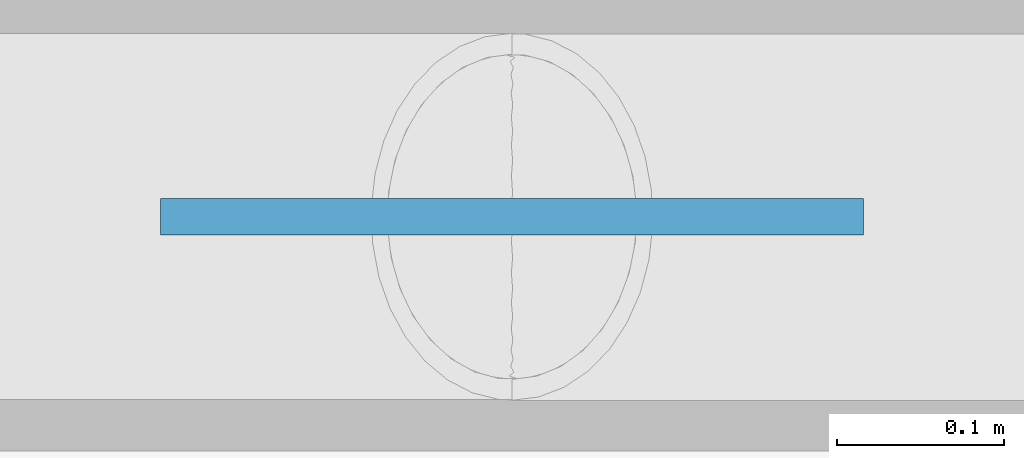
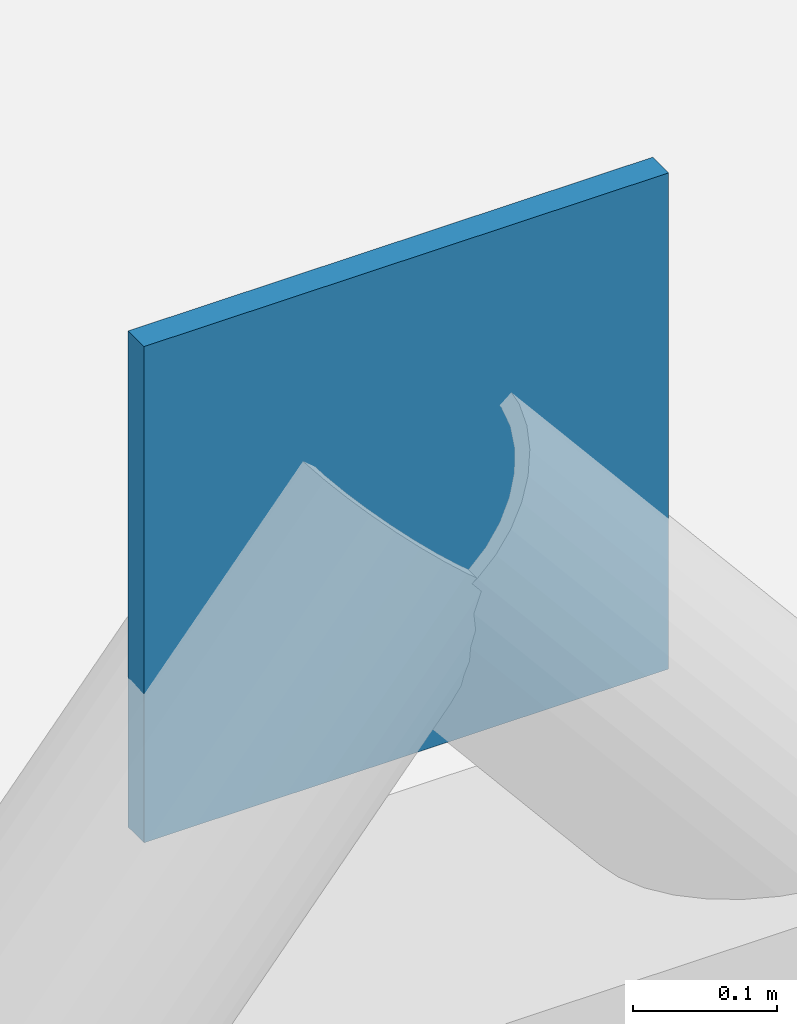
# One storey, part 57 of 126: 1 plate.
"""IFC4 building model written with IfcOpenShell, lengths in metres."""

from ifc_helpers import new_model, si_unit, direction, frame, origin, origin_2d, place, context, subcontext, project, spatial, rectangle, extrude, material, layer, layer_set, type_object, element, save


model = new_model("IFC4")

# Units and contexts
model_context = context("Model", 3, precision=1e-05, world=origin(), true_north=direction((0.0, 1.0)))
body_context = subcontext(model_context, "Body", "Model", "MODEL_VIEW")
ifc_project = project(units=[si_unit("LENGTHUNIT", "METRE"), si_unit("AREAUNIT", "SQUARE_METRE"), si_unit("VOLUMEUNIT", "CUBIC_METRE"), si_unit("PLANEANGLEUNIT", "RADIAN"), si_unit("MASSUNIT", "GRAM", prefix="KILO")], contexts=[model_context])

# Site, building, storey
site_placement = place(None, origin())
site = spatial("IfcSite", under=ifc_project, at=site_placement, CompositionType="ELEMENT")
building_placement = place(site_placement, origin())
building = spatial("IfcBuilding", under=site, at=building_placement, Name="Khelvaren Railside Concert Hall", CompositionType="ELEMENT")
storey_placement = place(building_placement, origin())
storey = spatial("IfcBuildingStorey", under=building, at=storey_placement, Name="L00", CompositionType="ELEMENT", Elevation=0.0)

# Plate
ifc_material = material(Name="Steel S355", Category="steel")
ifc_layer = layer(ifc_material, 0.02197265625)
ifc_layer_set = layer_set([ifc_layer], Name="Steel S355")
plate_type = type_object("IfcPlateType", Name="STP73", PredefinedType="USERDEFINED", material=ifc_layer_set)
plate_placement = place(storey_placement, frame((156.0, 0.0, 4.64013671875), z_axis=(0.0, 0.0, 1.0), x_axis=(1.0, 0.0, 0.0)))
element("IfcPlate", 1, at=plate_placement, inside=storey, type_object=plate_type, Name="V2 L00 Brace Apex Stiffener Plate 50", ObjectType="STIFFENER PLATE", PredefinedType="USERDEFINED", context=body_context, shape_type="SweptSolid", body=[
    extrude(rectangle(XDim=0.419921875, YDim=0.02197265625, at=origin_2d()), origin(), (0.0, 0.0, 1.0), 0.419921875),
])

save(model, "model.ifc")
